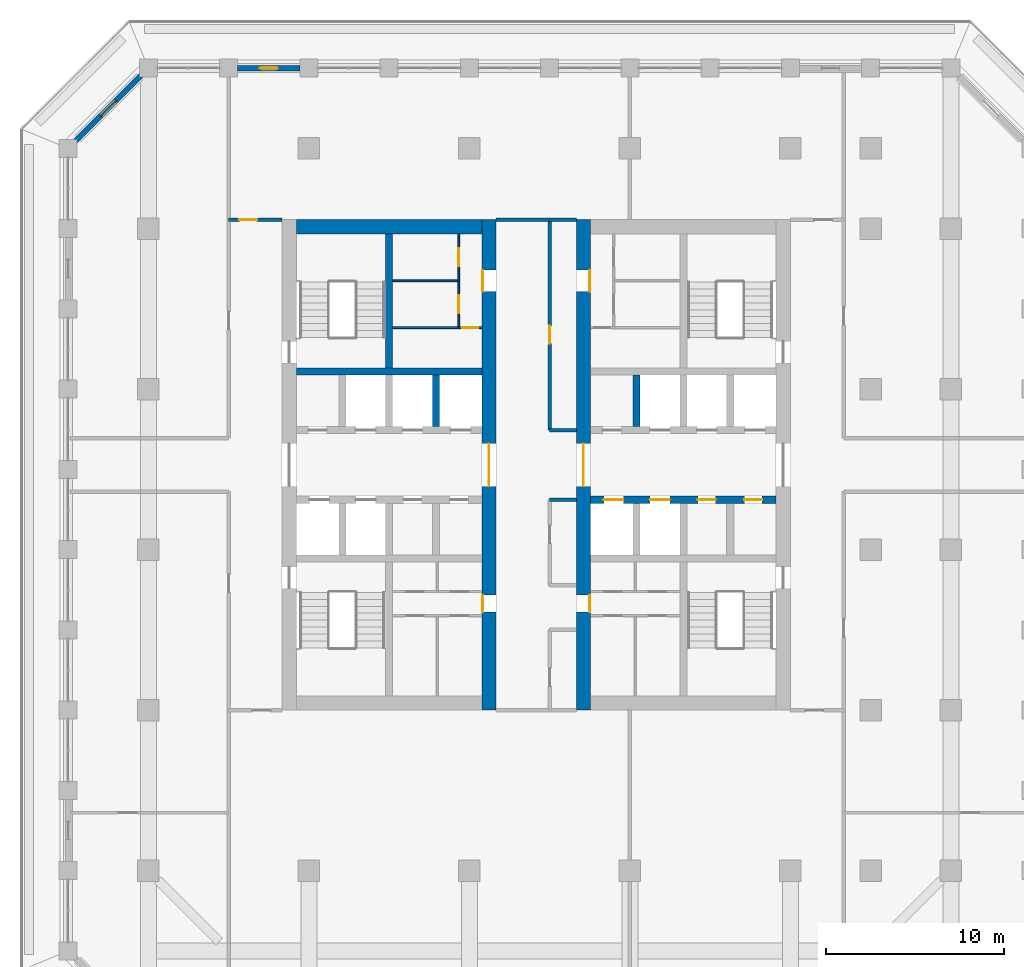
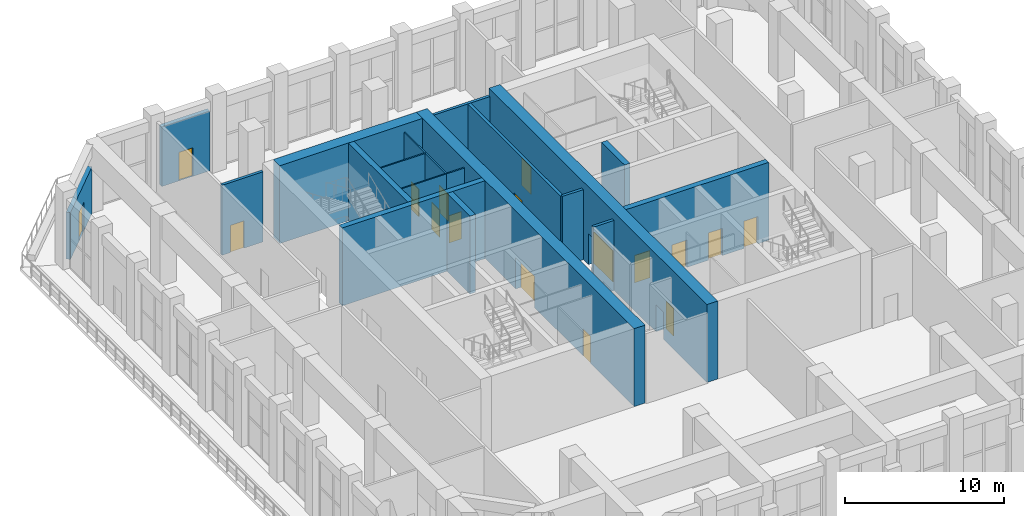
# One storey, part 15 of 25: 20 walls, 17 doors, 17 openings.
"""IFC4 building model written with IfcOpenShell, lengths in metres."""

import ifcopenshell
import ifcopenshell.guid

model = None  # the IFC model being written
_history = None  # IfcOwnerHistory: only IFC2X3 demands one
_inside = {}  # id of a spatial element -> (the spatial element, [elements in it])
_under = {}  # id of a project, library or spatial element -> (it, [spatial elements below it])
_declared = {}  # id of a project -> (the project, [libraries it declares])
_typed = {}  # id of a type object -> (the type object, [elements of that type])
_made_of = {}  # id of a material, layer set ... -> (it, [elements and type objects made of it])


def new_model(schema):
    """Start an empty IFC model of exactly this schema.

    Asked for "IFC4X3", IfcOpenShell would pick the latest addendum, in which some entities
    have other attributes; the version numbers below select the first issue.
    IFC2X3 requires an IfcOwnerHistory on every rooted entity: one is made here for all.
    """
    global model, _history
    if schema == "IFC4X3":
        model = ifcopenshell.file(schema_version=(4, 3, 0, 0))
    else:
        model = ifcopenshell.file(schema=schema)
    _inside.clear()
    _under.clear()
    _declared.clear()
    _typed.clear()
    _made_of.clear()
    _history = None
    if model.schema == "IFC2X3":
        org = make("IfcOrganization", Name="unknown")
        user = make(
            "IfcPersonAndOrganization",
            ThePerson=make("IfcPerson", FamilyName="unknown"),
            TheOrganization=org,
        )
        app = make(
            "IfcApplication",
            ApplicationDeveloper=org,
            Version="unknown",
            ApplicationFullName="unknown",
            ApplicationIdentifier="unknown",
        )
        _history = make(
            "IfcOwnerHistory",
            OwningUser=user,
            OwningApplication=app,
            ChangeAction="ADDED",
            CreationDate=0,
        )
    return model


def make(cls, **values):
    """One entity of the class cls with the attributes given. An attribute that is None is left unset."""
    return model.create_entity(
        cls, **{name: value for name, value in values.items() if value is not None}
    )


def rooted(cls, **values):
    """An entity with a GlobalId (a new one), such as an element, a storey or a relation."""
    return make(cls, GlobalId=ifcopenshell.guid.new(), OwnerHistory=_history, **values)


def si_unit(unit_type, name, prefix=None):
    """IfcSIUnit, for example si_unit("LENGTHUNIT", "METRE", prefix="MILLI")."""
    return make("IfcSIUnit", UnitType=unit_type, Prefix=prefix, Name=name)


def assignment(units):
    """IfcUnitAssignment: the units of a project."""
    return None if units is None else make("IfcUnitAssignment", Units=units)


def point(xyz):
    """IfcCartesianPoint."""
    return None if xyz is None else make("IfcCartesianPoint", Coordinates=xyz)


def direction(xyz):
    """IfcDirection."""
    return None if xyz is None else make("IfcDirection", DirectionRatios=xyz)


def frame(location, z_axis=None, x_axis=None):
    """IfcAxis2Placement3D, a coordinate frame: its origin and axes. An axis left out is left unset."""
    return make(
        "IfcAxis2Placement3D",
        Location=point(location),
        Axis=direction(z_axis),
        RefDirection=direction(x_axis),
    )


def frame_2d(location, x_axis=None):
    """IfcAxis2Placement2D, a coordinate frame in the plane: its origin and x axis."""
    return make(
        "IfcAxis2Placement2D", Location=point(location), RefDirection=direction(x_axis)
    )


def origin():
    """The frame at (0, 0, 0) with its axes left unset."""
    return frame((0.0, 0.0, 0.0))


def place(relative_to, where):
    """IfcLocalPlacement: puts the frame where relative to a parent placement (None: the world)."""
    return make(
        "IfcLocalPlacement", PlacementRelTo=relative_to, RelativePlacement=where
    )


def context(
    kind, dimensions, precision=None, world=None, true_north=None, identifier=None
):
    """IfcGeometricRepresentationContext, for example the 3D "Model" context."""
    return make(
        "IfcGeometricRepresentationContext",
        ContextIdentifier=identifier,
        ContextType=kind,
        CoordinateSpaceDimension=dimensions,
        Precision=precision,
        WorldCoordinateSystem=world,
        TrueNorth=true_north,
    )


def subcontext(parent, identifier, kind, view, scale=None):
    """IfcGeometricRepresentationSubContext, for example "Body" below "Model"."""
    return make(
        "IfcGeometricRepresentationSubContext",
        ContextIdentifier=identifier,
        ContextType=kind,
        ParentContext=parent,
        TargetScale=scale,
        TargetView=view,
    )


def project(units=None, contexts=None):
    """IfcProject with its units and contexts."""
    return rooted(
        "IfcProject",
        Name="project",
        RepresentationContexts=contexts,
        UnitsInContext=assignment(units),
    )


def spatial(cls, under=None, at=None, **own):
    """A site, building, storey or space (cls), placed at a placement, below another one or the project."""
    s = rooted(cls, ObjectPlacement=at, **own)
    if under is not None:
        _under.setdefault(under.id(), (under, []))[1].append(s)
    return s


def profile(cls, at=None, kind="AREA", **sizes):
    """A parametric profile (cls). Its sizes go by their IFC names, for example OverallWidth=200.0."""
    return make(cls, ProfileType=kind, Position=at, **sizes)


def rectangle(**sizes):
    """IfcRectangleProfileDef."""
    return profile("IfcRectangleProfileDef", **sizes)


def extrude(swept, where, along, depth):
    """IfcExtrudedAreaSolid: the profile swept, set in the frame where, extruded along a direction by depth."""
    return make(
        "IfcExtrudedAreaSolid",
        SweptArea=swept,
        Position=where,
        ExtrudedDirection=direction(along),
        Depth=depth,
    )


def shape(context_of_items, identifier, shape_type, items):
    """IfcShapeRepresentation: the items that make up one representation, for example the "Body"."""
    return make(
        "IfcShapeRepresentation",
        ContextOfItems=context_of_items,
        RepresentationIdentifier=identifier,
        RepresentationType=shape_type,
        Items=items,
    )


def material(Name=None, Category=None):
    """IfcMaterial."""
    return make("IfcMaterial", Name=Name, Category=Category)


def layer(
    of_material, thickness, ventilated=None, Name=None, Category=None, Priority=None
):
    """IfcMaterialLayer: one layer of a wall or slab, of a material (None: an air gap)."""
    return make(
        "IfcMaterialLayer",
        Material=of_material,
        LayerThickness=thickness,
        IsVentilated=ventilated,
        Name=Name,
        Category=Category,
        Priority=Priority,
    )


def layer_set(layers, Name=None):
    """IfcMaterialLayerSet."""
    return make("IfcMaterialLayerSet", MaterialLayers=layers, LayerSetName=Name)


def made_of(thing, what):
    """Note that an element or type object is made of a material, layer set ...; save() writes the relation."""
    if what is not None:
        _made_of.setdefault(what.id(), (what, []))[1].append(thing)
    return thing


def type_object(cls, material=None, **own):
    """A type object (cls), such as IfcWallType, which elements share."""
    return made_of(rooted(cls, **own), material)


def element(
    cls,
    number,
    at=None,
    inside=None,
    cuts=None,
    type_object=None,
    material=None,
    context=None,
    identifier="Body",
    shape_type=None,
    held_by="IfcProductDefinitionShape",
    body=None,
    shapes=None,
    **own,
):
    """One element of the class cls, such as IfcWall. Its Tag is "e" and its number.

    at: its placement. inside: the storey or other place that contains it. cuts: it is an
    opening in that element (IfcRelVoidsElement). A single representation is given by context,
    identifier, shape_type and body (its items); several are given by shapes. held_by: the class
    of the entity that holds the representations. save() writes the other relations.
    """
    e = rooted(cls, Tag="e%d" % number, ObjectPlacement=at, **own)
    if body is not None:
        shapes = [shape(context, identifier, shape_type, body)]
    if shapes is not None:
        e.Representation = make(held_by, Representations=shapes)
    if inside is not None:
        _inside.setdefault(inside.id(), (inside, []))[1].append(e)
    if cuts is not None:
        rooted(
            "IfcRelVoidsElement", RelatingBuildingElement=cuts, RelatedOpeningElement=e
        )
    if type_object is not None:
        _typed.setdefault(type_object.id(), (type_object, []))[1].append(e)
    return made_of(e, material)


def fill(opening, filler):
    """IfcRelFillsElement: the door or window that sits in an opening."""
    return rooted(
        "IfcRelFillsElement",
        RelatingOpeningElement=opening,
        RelatedBuildingElement=filler,
    )


def aggregate(whole, parts):
    """IfcRelAggregates: a whole, such as a stair, and the parts it consists of."""
    return rooted("IfcRelAggregates", RelatingObject=whole, RelatedObjects=parts)


def save(model, path):
    """Write the relations noted so far, then the file.

    IfcRelAggregates (storeys below a building ...), IfcRelContainedInSpatialStructure (elements
    in a storey), IfcRelDefinesByType, IfcRelAssociatesMaterial and IfcRelDeclares: one each for
    every whole, place, type object, material and project.
    """
    for whole, parts in _under.values():
        aggregate(whole, parts)
    for where, things in _inside.values():
        rooted(
            "IfcRelContainedInSpatialStructure",
            RelatedElements=things,
            RelatingStructure=where,
        )
    for kind, things in _typed.values():
        rooted("IfcRelDefinesByType", RelatedObjects=things, RelatingType=kind)
    for what, things in _made_of.values():
        rooted("IfcRelAssociatesMaterial", RelatedObjects=things, RelatingMaterial=what)
    for by, libraries in _declared.values():
        rooted("IfcRelDeclares", RelatingContext=by, RelatedDefinitions=libraries)
    model.write(path)


model = new_model("IFC4")

# Units and contexts
model_context = context("Model", 3, precision=1e-05, world=origin(), true_north=direction((0.0, 1.0)))
body_context = subcontext(model_context, "Body", "Model", "MODEL_VIEW")
ifc_project = project(units=[si_unit("LENGTHUNIT", "METRE"), si_unit("AREAUNIT", "SQUARE_METRE"), si_unit("VOLUMEUNIT", "CUBIC_METRE"), si_unit("PLANEANGLEUNIT", "RADIAN"), si_unit("MASSUNIT", "GRAM", prefix="KILO")], contexts=[model_context])

# Site, building, storey
site_placement = place(None, origin())
site = spatial("IfcSite", under=ifc_project, at=site_placement, CompositionType="ELEMENT")
building_placement = place(site_placement, origin())
building = spatial("IfcBuilding", under=site, at=building_placement, Name="Corbel Stack Research Tower", CompositionType="ELEMENT")
storey_placement = place(building_placement, frame((0.0, 0.0, 220.199951171875)))
storey = spatial("IfcBuildingStorey", under=building, at=storey_placement, Name="L50", CompositionType="ELEMENT", Elevation=220.199951171875)

# Walls
ifc_material_1 = material(Name="Concrete C60/75", Category="concrete")
ifc_layer_1 = layer(ifc_material_1, 0.39990234375)
ifc_layer_set_1 = layer_set([ifc_layer_1], Name="Concrete C60/75")
wall_type_1 = type_object("IfcWallType", Name="CW-400-60", PredefinedType="SHEAR", material=ifc_layer_set_1)
wall_1_placement = place(storey_placement, frame((-9.699951171875, 10.0, 0.0), z_axis=(0.0, 0.0, 1.0), x_axis=(1.0, 0.0, 0.0)))
element("IfcWall", 1, at=wall_1_placement, inside=storey, type_object=wall_type_1, Name="West core wall, north row back L50", PredefinedType="SHEAR", context=body_context, shape_type="SweptSolid", body=[
    extrude(rectangle(XDim=10.39990234375, YDim=0.39990234375, at=frame_2d((5.199951171875, 0.0))), origin(), (0.0, 0.0, 1.0), 6.0),
])
wall_2_placement = place(storey_placement, frame((-1.875, 6.89990234375, 0.0), z_axis=(0.0, 0.0, 1.0), x_axis=(0.0, 1.0, 0.0)))
element("IfcWall", 2, at=wall_2_placement, inside=storey, type_object=wall_type_1, Name="West core wall, north shaft 3 L50", PredefinedType="SHEAR", context=body_context, shape_type="SweptSolid", body=[
    extrude(rectangle(XDim=2.900146484375, YDim=0.39990234375, at=frame_2d((1.4501953125, 0.0))), origin(), (0.0, 0.0, 1.0), 6.0),
])
wall_3_placement = place(storey_placement, frame((-4.5, 10.199951171875, 0.0), z_axis=(0.0, 0.0, 1.0), x_axis=(0.0, 1.0, 0.0)))
element("IfcWall", 3, at=wall_3_placement, inside=storey, type_object=wall_type_1, Name="West core wall, north stair and riser L50", PredefinedType="SHEAR", context=body_context, shape_type="SweptSolid", body=[
    extrude(rectangle(XDim=7.5, YDim=0.39990234375, at=frame_2d((3.75, 0.0))), origin(), (0.0, 0.0, 1.0), 6.0),
])

# Wall, openings, doors
wall_4_placement = place(storey_placement, frame((6.800048828125, 2.800048828125, 0.0), z_axis=(0.0, 0.0, 1.0), x_axis=(1.0, 0.0, 0.0)))
wall_4 = element("IfcWall", 4, at=wall_4_placement, inside=storey, type_object=wall_type_1, Name="East core wall, lobby south L50", PredefinedType="SHEAR", context=body_context, shape_type="SweptSolid", body=[
    extrude(rectangle(XDim=10.39990234375, YDim=0.39990234375, at=frame_2d((5.199951171875, 0.0))), origin(), (0.0, 0.0, 1.0), 6.0),
])
opening_1_placement = place(wall_4_placement, frame((0.737548828125, 0.0, 0.0)))
opening_1 = element("IfcOpeningElement", 5, at=opening_1_placement, cuts=wall_4, Name="Opening LD-FS2", PredefinedType="OPENING", context=body_context, shape_type="SweptSolid", body=[
    extrude(rectangle(XDim=1.10009765625, YDim=2.10009765625, at=frame_2d((0.550048828125, 1.050048828125))), frame((0.0, 0.2099609375, 0.0), z_axis=(0.0, -1.0, 0.0), x_axis=(1.0, 0.0, 0.0)), (0.0, 0.0, 1.0), 0.419921875),
])
opening_2_placement = place(wall_4_placement, frame((3.33740234375, 0.0, 0.0)))
opening_2 = element("IfcOpeningElement", 6, at=opening_2_placement, cuts=wall_4, Name="Opening LD-GL2", PredefinedType="OPENING", context=body_context, shape_type="SweptSolid", body=[
    extrude(rectangle(XDim=1.10009765625, YDim=2.10009765625, at=frame_2d((0.550048828125, 1.050048828125))), frame((0.0, 0.2099609375, 0.0), z_axis=(0.0, -1.0, 0.0), x_axis=(1.0, 0.0, 0.0)), (0.0, 0.0, 1.0), 0.419921875),
])
opening_3_placement = place(wall_4_placement, frame((6.012451171875, 0.0, 0.0)))
opening_3 = element("IfcOpeningElement", 7, at=opening_3_placement, cuts=wall_4, Name="Opening CR-E54-S3", PredefinedType="OPENING", context=body_context, shape_type="SweptSolid", body=[
    extrude(rectangle(XDim=1.0, YDim=2.10009765625, at=frame_2d((0.5, 1.050048828125))), frame((0.0, 0.2099609375, 0.0), z_axis=(0.0, -1.0, 0.0), x_axis=(1.0, 0.0, 0.0)), (0.0, 0.0, 1.0), 0.419921875),
])
opening_4_placement = place(wall_4_placement, frame((8.612548828125, 0.0, 0.0)))
opening_4 = element("IfcOpeningElement", 8, at=opening_4_placement, cuts=wall_4, Name="Opening CR-E54-S4", PredefinedType="OPENING", context=body_context, shape_type="SweptSolid", body=[
    extrude(rectangle(XDim=1.0, YDim=2.10009765625, at=frame_2d((0.5, 1.050048828125))), frame((0.0, 0.2099609375, 0.0), z_axis=(0.0, -1.0, 0.0), x_axis=(1.0, 0.0, 0.0)), (0.0, 0.0, 1.0), 0.419921875),
])
ifc_material_2 = material(Name="Stainless steel landing door", Category="steel")
door_type_1 = type_object("IfcDoorType", Name="Lift landing door 1100 x 2100", OperationType="DOUBLE_DOOR_SLIDING", PredefinedType="DOOR", material=ifc_material_2)
door_1_placement = place(opening_1_placement, origin())
door_1 = element("IfcDoor", 9, at=door_1_placement, inside=storey, type_object=door_type_1, Name="Landing door FS2", OperationType="DOUBLE_DOOR_SLIDING", OverallHeight=2.10009765625, OverallWidth=1.10009765625, PredefinedType="DOOR", context=body_context, shape_type="SweptSolid", body=[
    extrude(rectangle(XDim=1.10009765625, YDim=2.10009765625, at=frame_2d((0.550048828125, 1.050048828125))), frame((0.0, 0.02490234375, 0.0), z_axis=(0.0, -1.0, 0.0), x_axis=(1.0, 0.0, 0.0)), (0.0, 0.0, 1.0), 0.050048828125),
])
fill(opening_1, door_1)
door_2_placement = place(opening_2_placement, origin())
door_2 = element("IfcDoor", 10, at=door_2_placement, inside=storey, type_object=door_type_1, Name="Landing door GL2", OperationType="DOUBLE_DOOR_SLIDING", OverallHeight=2.10009765625, OverallWidth=1.10009765625, PredefinedType="DOOR", context=body_context, shape_type="SweptSolid", body=[
    extrude(rectangle(XDim=1.10009765625, YDim=2.10009765625, at=frame_2d((0.550048828125, 1.050048828125))), frame((0.0, 0.02490234375, 0.0), z_axis=(0.0, -1.0, 0.0), x_axis=(1.0, 0.0, 0.0)), (0.0, 0.0, 1.0), 0.050048828125),
])
fill(opening_2, door_2)
ifc_material_3 = material(Name="Painted steel door", Category="steel")
door_type_2 = type_object("IfcDoorType", Name="Service door 1000 x 2100 FD60 left hand", OperationType="SINGLE_SWING_LEFT", PredefinedType="DOOR", material=ifc_material_3)
door_3_placement = place(opening_3_placement, origin())
door_3 = element("IfcDoor", 11, at=door_3_placement, inside=storey, type_object=door_type_2, Name="Cleaner's store door E core", OperationType="SINGLE_SWING_LEFT", OverallHeight=2.10009765625, OverallWidth=1.0, PredefinedType="DOOR", context=body_context, shape_type="SweptSolid", body=[
    extrude(rectangle(XDim=1.0, YDim=2.10009765625, at=frame_2d((0.5, 1.050048828125))), frame((0.0, 0.02490234375, 0.0), z_axis=(0.0, -1.0, 0.0), x_axis=(1.0, 0.0, 0.0)), (0.0, 0.0, 1.0), 0.050048828125),
])
fill(opening_3, door_3)
ifc_material_4 = material(Name="Painted steel door", Category="steel")
door_type_3 = type_object("IfcDoorType", Name="Service door 1000 x 2100 FD60 right hand", OperationType="SINGLE_SWING_RIGHT", PredefinedType="DOOR", material=ifc_material_4)
door_4_placement = place(opening_4_placement, origin())
door_4 = element("IfcDoor", 12, at=door_4_placement, inside=storey, type_object=door_type_3, Name="Vending bay door E core", OperationType="SINGLE_SWING_RIGHT", OverallHeight=2.10009765625, OverallWidth=1.0, PredefinedType="DOOR", context=body_context, shape_type="SweptSolid", body=[
    extrude(rectangle(XDim=1.0, YDim=2.10009765625, at=frame_2d((0.5, 1.050048828125))), frame((0.0, 0.02490234375, 0.0), z_axis=(0.0, -1.0, 0.0), x_axis=(1.0, 0.0, 0.0)), (0.0, 0.0, 1.0), 0.050048828125),
])
fill(opening_4, door_4)

# Wall
wall_5_placement = place(storey_placement, frame((9.375, 6.89990234375, 0.0), z_axis=(0.0, 0.0, 1.0), x_axis=(0.0, 1.0, 0.0)))
element("IfcWall", 13, at=wall_5_placement, inside=storey, type_object=wall_type_1, Name="East core wall, north shaft 1 L50", PredefinedType="SHEAR", context=body_context, shape_type="SweptSolid", body=[
    extrude(rectangle(XDim=2.900146484375, YDim=0.39990234375, at=frame_2d((1.4501953125, 0.0))), origin(), (0.0, 0.0, 1.0), 6.0),
])

# Wall, openings, doors
ifc_material_5 = material(Name="Concrete C60/75", Category="concrete")
ifc_layer_2 = layer(ifc_material_5, 0.800048828125)
ifc_layer_set_2 = layer_set([ifc_layer_2], Name="Concrete C60/75")
wall_type_2 = type_object("IfcWallType", Name="CW-800-60", PredefinedType="SHEAR", material=ifc_layer_set_2)
wall_6_placement = place(storey_placement, frame((1.10009765625, -9.0, 0.0), z_axis=(0.0, 0.0, 1.0), x_axis=(0.0, 1.0, 0.0)))
wall_6 = element("IfcWall", 14, at=wall_6_placement, inside=storey, type_object=wall_type_2, Name="West core wall, east face L50", PredefinedType="SHEAR", context=body_context, shape_type="SweptSolid", body=[
    extrude(rectangle(XDim=27.5, YDim=0.800048828125, at=frame_2d((13.75, 0.0))), origin(), (0.0, 0.0, 1.0), 6.0),
])
opening_5_placement = place(wall_6_placement, frame((12.550048828125, 0.0, 0.0)))
opening_5 = element("IfcOpeningElement", 15, at=opening_5_placement, cuts=wall_6, Name="Opening CD-W-E", PredefinedType="OPENING", context=body_context, shape_type="SweptSolid", body=[
    extrude(rectangle(XDim=2.39990234375, YDim=2.39990234375, at=frame_2d((1.199951171875, 1.199951171875))), frame((0.0, 0.409912109375, 0.0), z_axis=(0.0, -1.0, 0.0), x_axis=(1.0, 0.0, 0.0)), (0.0, 0.0, 1.0), 0.820068359375),
])
opening_6_placement = place(wall_6_placement, frame((5.5, 0.0, 0.0)))
opening_6 = element("IfcOpeningElement", 16, at=opening_6_placement, cuts=wall_6, Name="Opening CR-W54-W1-950", PredefinedType="OPENING", context=body_context, shape_type="SweptSolid", body=[
    extrude(rectangle(XDim=0.949951171875, YDim=2.10009765625, at=frame_2d((0.47509765625, 1.050048828125))), frame((0.0, 0.409912109375, 0.0), z_axis=(0.0, -1.0, 0.0), x_axis=(1.0, 0.0, 0.0)), (0.0, 0.0, 1.0), 0.820068359375),
])
opening_7_placement = place(wall_6_placement, frame((23.47509765625, 0.0, 0.0)))
opening_7 = element("IfcOpeningElement", 17, at=opening_7_placement, cuts=wall_6, Name="Opening CR-W54-R2-1200", PredefinedType="OPENING", context=body_context, shape_type="SweptSolid", body=[
    extrude(rectangle(XDim=1.199951171875, YDim=2.10009765625, at=frame_2d((0.60009765625, 1.050048828125))), frame((0.0, 0.409912109375, 0.0), z_axis=(0.0, -1.0, 0.0), x_axis=(1.0, 0.0, 0.0)), (0.0, 0.0, 1.0), 0.820068359375),
])
ifc_material_6 = material(Name="Painted steel fire door", Category="steel")
door_type_4 = type_object("IfcDoorType", Name="Lobby door pair 2400 x 2400 FD30S", OperationType="DOUBLE_DOOR_DOUBLE_SWING", PredefinedType="DOOR", material=ifc_material_6)
door_5_placement = place(opening_5_placement, origin())
door_5 = element("IfcDoor", 18, at=door_5_placement, inside=storey, type_object=door_type_4, Name="Lift lobby door W core E", OperationType="DOUBLE_DOOR_DOUBLE_SWING", OverallHeight=2.39990234375, OverallWidth=2.39990234375, PredefinedType="DOOR", context=body_context, shape_type="SweptSolid", body=[
    extrude(rectangle(XDim=2.39990234375, YDim=2.39990234375, at=frame_2d((1.199951171875, 1.199951171875))), frame((0.0, 0.02490234375, 0.0), z_axis=(0.0, -1.0, 0.0), x_axis=(1.0, 0.0, 0.0)), (0.0, 0.0, 1.0), 0.050048828125),
])
fill(opening_5, door_5)
ifc_material_7 = material(Name="Painted steel door", Category="steel")
door_type_5 = type_object("IfcDoorType", Name="Service door 1200 x 2100 FD30 right hand", OperationType="SINGLE_SWING_RIGHT", PredefinedType="DOOR", material=ifc_material_7)
door_6_placement = place(opening_7_placement, origin())
door_6 = element("IfcDoor", 19, at=door_6_placement, inside=storey, type_object=door_type_5, Name="Service passage door W core", OperationType="SINGLE_SWING_RIGHT", OverallHeight=2.10009765625, OverallWidth=1.199951171875, PredefinedType="DOOR", context=body_context, shape_type="SweptSolid", body=[
    extrude(rectangle(XDim=1.199951171875, YDim=2.10009765625, at=frame_2d((0.60009765625, 1.050048828125))), frame((0.0, 0.375, 0.0), z_axis=(0.0, -1.0, 0.0), x_axis=(1.0, 0.0, 0.0)), (0.0, 0.0, 1.0), 0.050048828125),
])
fill(opening_7, door_6)
ifc_material_8 = material(Name="Painted timber door", Category="wood")
door_type_6 = type_object("IfcDoorType", Name="WC door 950 x 2100 left hand", OperationType="SINGLE_SWING_LEFT", PredefinedType="DOOR", material=ifc_material_8)
door_7_placement = place(opening_6_placement, origin())
door_7 = element("IfcDoor", 20, at=door_7_placement, inside=storey, type_object=door_type_6, Name="WC lobby door W core", OperationType="SINGLE_SWING_LEFT", OverallHeight=2.10009765625, OverallWidth=0.949951171875, PredefinedType="DOOR", context=body_context, shape_type="SweptSolid", body=[
    extrude(rectangle(XDim=0.949951171875, YDim=2.10009765625, at=frame_2d((0.47509765625, 1.050048828125))), frame((0.0, 0.375, 0.0), z_axis=(0.0, -1.0, 0.0), x_axis=(1.0, 0.0, 0.0)), (0.0, 0.0, 1.0), 0.050048828125),
])
fill(opening_6, door_7)

# Wall
wall_7_placement = place(storey_placement, frame((-9.699951171875, 18.10009765625, 0.0), z_axis=(0.0, 0.0, 1.0), x_axis=(1.0, 0.0, 0.0)))
element("IfcWall", 21, at=wall_7_placement, inside=storey, type_object=wall_type_2, Name="West core wall, north end L50", PredefinedType="SHEAR", context=body_context, shape_type="SweptSolid", body=[
    extrude(rectangle(XDim=10.39990234375, YDim=0.800048828125, at=frame_2d((5.199951171875, 0.0))), origin(), (0.0, 0.0, 1.0), 6.0),
])

# Wall, openings, doors
wall_8_placement = place(storey_placement, frame((6.39990234375, -9.0, 0.0), z_axis=(0.0, 0.0, 1.0), x_axis=(0.0, 1.0, 0.0)))
wall_8 = element("IfcWall", 22, at=wall_8_placement, inside=storey, type_object=wall_type_2, Name="East core wall, west face L50", PredefinedType="SHEAR", context=body_context, shape_type="SweptSolid", body=[
    extrude(rectangle(XDim=27.5, YDim=0.800048828125, at=frame_2d((13.75, 0.0))), origin(), (0.0, 0.0, 1.0), 6.0),
])
opening_8_placement = place(wall_8_placement, frame((12.550048828125, 0.0, 0.0)))
opening_8 = element("IfcOpeningElement", 23, at=opening_8_placement, cuts=wall_8, Name="Opening CD-E-W", PredefinedType="OPENING", context=body_context, shape_type="SweptSolid", body=[
    extrude(rectangle(XDim=2.39990234375, YDim=2.39990234375, at=frame_2d((1.199951171875, 1.199951171875))), frame((0.0, 0.409912109375, 0.0), z_axis=(0.0, -1.0, 0.0), x_axis=(1.0, 0.0, 0.0)), (0.0, 0.0, 1.0), 0.820068359375),
])
opening_9_placement = place(wall_8_placement, frame((5.5, 0.0, 0.0)))
opening_9 = element("IfcOpeningElement", 24, at=opening_9_placement, cuts=wall_8, Name="Opening CR-E54-W1-950", PredefinedType="OPENING", context=body_context, shape_type="SweptSolid", body=[
    extrude(rectangle(XDim=0.949951171875, YDim=2.10009765625, at=frame_2d((0.47509765625, 1.050048828125))), frame((0.0, 0.409912109375, 0.0), z_axis=(0.0, -1.0, 0.0), x_axis=(1.0, 0.0, 0.0)), (0.0, 0.0, 1.0), 0.820068359375),
])
opening_10_placement = place(wall_8_placement, frame((23.47509765625, 0.0, 0.0)))
opening_10 = element("IfcOpeningElement", 25, at=opening_10_placement, cuts=wall_8, Name="Opening CR-E54-R2-1200", PredefinedType="OPENING", context=body_context, shape_type="SweptSolid", body=[
    extrude(rectangle(XDim=1.199951171875, YDim=2.10009765625, at=frame_2d((0.60009765625, 1.050048828125))), frame((0.0, 0.409912109375, 0.0), z_axis=(0.0, -1.0, 0.0), x_axis=(1.0, 0.0, 0.0)), (0.0, 0.0, 1.0), 0.820068359375),
])
door_8_placement = place(opening_8_placement, origin())
door_8 = element("IfcDoor", 26, at=door_8_placement, inside=storey, type_object=door_type_4, Name="Lift lobby door E core W", OperationType="DOUBLE_DOOR_DOUBLE_SWING", OverallHeight=2.39990234375, OverallWidth=2.39990234375, PredefinedType="DOOR", context=body_context, shape_type="SweptSolid", body=[
    extrude(rectangle(XDim=2.39990234375, YDim=2.39990234375, at=frame_2d((1.199951171875, 1.199951171875))), frame((0.0, 0.02490234375, 0.0), z_axis=(0.0, -1.0, 0.0), x_axis=(1.0, 0.0, 0.0)), (0.0, 0.0, 1.0), 0.050048828125),
])
fill(opening_8, door_8)
ifc_material_9 = material(Name="Painted steel door", Category="steel")
door_type_7 = type_object("IfcDoorType", Name="Service door 1200 x 2100 FD30 left hand", OperationType="SINGLE_SWING_LEFT", PredefinedType="DOOR", material=ifc_material_9)
door_9_placement = place(opening_10_placement, origin())
door_9 = element("IfcDoor", 27, at=door_9_placement, inside=storey, type_object=door_type_7, Name="Service passage door E core", OperationType="SINGLE_SWING_LEFT", OverallHeight=2.10009765625, OverallWidth=1.199951171875, PredefinedType="DOOR", context=body_context, shape_type="SweptSolid", body=[
    extrude(rectangle(XDim=1.199951171875, YDim=2.10009765625, at=frame_2d((0.60009765625, 1.050048828125))), frame((0.0, -0.3251953125, 0.0), z_axis=(0.0, -1.0, 0.0), x_axis=(1.0, 0.0, 0.0)), (0.0, 0.0, 1.0), 0.050048828125),
])
fill(opening_10, door_9)
ifc_material_10 = material(Name="Painted timber door", Category="wood")
door_type_8 = type_object("IfcDoorType", Name="WC door 950 x 2100 right hand", OperationType="SINGLE_SWING_RIGHT", PredefinedType="DOOR", material=ifc_material_10)
door_10_placement = place(opening_9_placement, origin())
door_10 = element("IfcDoor", 28, at=door_10_placement, inside=storey, type_object=door_type_8, Name="WC lobby door E core", OperationType="SINGLE_SWING_RIGHT", OverallHeight=2.10009765625, OverallWidth=0.949951171875, PredefinedType="DOOR", context=body_context, shape_type="SweptSolid", body=[
    extrude(rectangle(XDim=0.949951171875, YDim=2.10009765625, at=frame_2d((0.47509765625, 1.050048828125))), frame((0.0, -0.3251953125, 0.0), z_axis=(0.0, -1.0, 0.0), x_axis=(1.0, 0.0, 0.0)), (0.0, 0.0, 1.0), 0.050048828125),
])
fill(opening_9, door_10)

# Wall, opening, door
ifc_material_11 = material(Name="Gypsum board")
ifc_layer_3 = layer(ifc_material_11, 0.10009765625)
ifc_layer_set_3 = layer_set([ifc_layer_3], Name="Gypsum board")
wall_type_3 = type_object("IfcWallType", Name="Core partition 100", PredefinedType="PARTITIONING", material=ifc_layer_set_3)
wall_9_placement = place(storey_placement, frame((-0.60009765625, 12.449951171875, 0.0), z_axis=(0.0, 0.0, 1.0), x_axis=(1.0, 0.0, 0.0)))
wall_9 = element("IfcWall", 29, at=wall_9_placement, inside=storey, type_object=wall_type_3, Name="Core partition W", PredefinedType="PARTITIONING", context=body_context, shape_type="SweptSolid", body=[
    extrude(rectangle(XDim=1.300048828125, YDim=0.10009765625, at=frame_2d((0.64990234375, 0.0))), origin(), (0.0, 0.0, 1.0), 5.400146484375),
])
opening_11_placement = place(wall_9_placement, frame((0.199951171875, 0.0, 0.0)))
opening_11 = element("IfcOpeningElement", 30, at=opening_11_placement, cuts=wall_9, Name="Opening CR-W54-R1-900", PredefinedType="OPENING", context=body_context, shape_type="SweptSolid", body=[
    extrude(rectangle(XDim=0.89990234375, YDim=2.10009765625, at=frame_2d((0.449951171875, 1.050048828125))), frame((0.0, 0.06005859375, 0.0), z_axis=(0.0, -1.0, 0.0), x_axis=(1.0, 0.0, 0.0)), (0.0, 0.0, 1.0), 0.1201171875),
])
ifc_material_12 = material(Name="Painted steel door", Category="steel")
door_type_9 = type_object("IfcDoorType", Name="Riser door 900 x 2100 FD60 left hand", OperationType="SINGLE_SWING_LEFT", PredefinedType="DOOR", material=ifc_material_12)
door_11_placement = place(opening_11_placement, origin())
door_11 = element("IfcDoor", 31, at=door_11_placement, inside=storey, type_object=door_type_9, Name="Electrical riser door W core", OperationType="SINGLE_SWING_LEFT", OverallHeight=2.10009765625, OverallWidth=0.89990234375, PredefinedType="DOOR", context=body_context, shape_type="SweptSolid", body=[
    extrude(rectangle(XDim=0.89990234375, YDim=2.10009765625, at=frame_2d((0.449951171875, 1.050048828125))), frame((0.0, 0.02490234375, 0.0), z_axis=(0.0, -1.0, 0.0), x_axis=(1.0, 0.0, 0.0)), (0.0, 0.0, 1.0), 0.050048828125),
])
fill(opening_11, door_11)

# Wall
wall_10_placement = place(storey_placement, frame((-4.300048828125, 12.449951171875, 0.0), z_axis=(0.0, 0.0, 1.0), x_axis=(1.0, 0.0, 0.0)))
element("IfcWall", 32, at=wall_10_placement, inside=storey, type_object=wall_type_3, Name="Core partition W", PredefinedType="PARTITIONING", context=body_context, shape_type="SweptSolid", body=[
    extrude(rectangle(XDim=3.699951171875, YDim=0.10009765625, at=frame_2d((1.85009765625, 0.0))), origin(), (0.0, 0.0, 1.0), 5.400146484375),
])

# Wall, opening, door
wall_11_placement = place(storey_placement, frame((-0.60009765625, 12.449951171875, 0.0), z_axis=(0.0, 0.0, 1.0), x_axis=(0.0, 1.0, 0.0)))
wall_11 = element("IfcWall", 33, at=wall_11_placement, inside=storey, type_object=wall_type_3, Name="Core partition W", PredefinedType="PARTITIONING", context=body_context, shape_type="SweptSolid", body=[
    extrude(rectangle(XDim=2.625, YDim=0.10009765625, at=frame_2d((1.3125, 0.0))), origin(), (0.0, 0.0, 1.0), 5.400146484375),
])
opening_12_placement = place(wall_11_placement, frame((0.8125, 0.0, 0.0)))
opening_12 = element("IfcOpeningElement", 34, at=opening_12_placement, cuts=wall_11, Name="Opening CR-W54-R3-1000", PredefinedType="OPENING", context=body_context, shape_type="SweptSolid", body=[
    extrude(rectangle(XDim=1.0, YDim=2.10009765625, at=frame_2d((0.5, 1.050048828125))), frame((0.0, 0.06005859375, 0.0), z_axis=(0.0, -1.0, 0.0), x_axis=(1.0, 0.0, 0.0)), (0.0, 0.0, 1.0), 0.1201171875),
])
ifc_material_13 = material(Name="Painted steel door", Category="steel")
door_type_10 = type_object("IfcDoorType", Name="Service door 1000 x 2100 FD30 left hand", OperationType="SINGLE_SWING_LEFT", PredefinedType="DOOR", material=ifc_material_13)
door_12_placement = place(opening_12_placement, origin())
door_12 = element("IfcDoor", 35, at=door_12_placement, inside=storey, type_object=door_type_10, Name="Pantry door W core", OperationType="SINGLE_SWING_LEFT", OverallHeight=2.10009765625, OverallWidth=1.0, PredefinedType="DOOR", context=body_context, shape_type="SweptSolid", body=[
    extrude(rectangle(XDim=1.0, YDim=2.10009765625, at=frame_2d((0.5, 1.050048828125))), frame((0.0, 0.02490234375, 0.0), z_axis=(0.0, -1.0, 0.0), x_axis=(1.0, 0.0, 0.0)), (0.0, 0.0, 1.0), 0.050048828125),
])
fill(opening_12, door_12)

wall_12_placement = place(storey_placement, frame((-0.60009765625, 15.074951171875, 0.0), z_axis=(0.0, 0.0, 1.0), x_axis=(0.0, 1.0, 0.0)))
wall_12 = element("IfcWall", 36, at=wall_12_placement, inside=storey, type_object=wall_type_3, Name="Core partition W", PredefinedType="PARTITIONING", context=body_context, shape_type="SweptSolid", body=[
    extrude(rectangle(XDim=2.625, YDim=0.10009765625, at=frame_2d((1.3125, 0.0))), origin(), (0.0, 0.0, 1.0), 5.400146484375),
])
opening_13_placement = place(wall_12_placement, frame((0.8125, 0.0, 0.0)))
opening_13 = element("IfcOpeningElement", 37, at=opening_13_placement, cuts=wall_12, Name="Opening CR-W54-R4-1000", PredefinedType="OPENING", context=body_context, shape_type="SweptSolid", body=[
    extrude(rectangle(XDim=1.0, YDim=2.10009765625, at=frame_2d((0.5, 1.050048828125))), frame((0.0, 0.06005859375, 0.0), z_axis=(0.0, -1.0, 0.0), x_axis=(1.0, 0.0, 0.0)), (0.0, 0.0, 1.0), 0.1201171875),
])
ifc_material_14 = material(Name="Painted steel door", Category="steel")
door_type_11 = type_object("IfcDoorType", Name="Service door 1000 x 2100 FD30 right hand", OperationType="SINGLE_SWING_RIGHT", PredefinedType="DOOR", material=ifc_material_14)
door_13_placement = place(opening_13_placement, origin())
door_13 = element("IfcDoor", 38, at=door_13_placement, inside=storey, type_object=door_type_11, Name="Copy and supply store door W core", OperationType="SINGLE_SWING_RIGHT", OverallHeight=2.10009765625, OverallWidth=1.0, PredefinedType="DOOR", context=body_context, shape_type="SweptSolid", body=[
    extrude(rectangle(XDim=1.0, YDim=2.10009765625, at=frame_2d((0.5, 1.050048828125))), frame((0.0, 0.02490234375, 0.0), z_axis=(0.0, -1.0, 0.0), x_axis=(1.0, 0.0, 0.0)), (0.0, 0.0, 1.0), 0.050048828125),
])
fill(opening_13, door_13)

# Wall
wall_13_placement = place(storey_placement, frame((-4.300048828125, 15.074951171875, 0.0), z_axis=(0.0, 0.0, 1.0), x_axis=(1.0, 0.0, 0.0)))
element("IfcWall", 39, at=wall_13_placement, inside=storey, type_object=wall_type_3, Name="Core partition W", PredefinedType="PARTITIONING", context=body_context, shape_type="SweptSolid", body=[
    extrude(rectangle(XDim=3.699951171875, YDim=0.10009765625, at=frame_2d((1.85009765625, 0.0))), origin(), (0.0, 0.0, 1.0), 5.400146484375),
])

# Wall, opening, door
ifc_material_15 = material(Name="Fire-rated gypsum board partition on steel studs", Category="steel")
ifc_layer_4 = layer(ifc_material_15, 0.199951171875)
ifc_layer_set_4 = layer_set([ifc_layer_4], Name="Fire-rated gypsum board partition on steel studs")
wall_type_4 = type_object("IfcWallType", Name="Fire-rated partition 200 EI 60", PredefinedType="PARTITIONING", material=ifc_layer_set_4)
wall_14_placement = place(storey_placement, frame((4.5, 18.5, 0.0), z_axis=(0.0, 0.0, 1.0), x_axis=(0.0, -1.0, 0.0)))
wall_14 = element("IfcWall", 40, at=wall_14_placement, inside=storey, type_object=wall_type_4, Name="Partition L50-007", PredefinedType="PARTITIONING", context=body_context, shape_type="SweptSolid", body=[
    extrude(rectangle(XDim=11.800048828125, YDim=0.199951171875, at=frame_2d((5.89990234375, 0.0))), origin(), (0.0, 0.0, 1.0), 5.400146484375),
])
opening_14_placement = place(wall_14_placement, frame((5.949951171875, 0.0, 0.0)))
opening_14 = element("IfcOpeningElement", 41, at=opening_14_placement, cuts=wall_14, Name="Opening B6AM-009", PredefinedType="OPENING", context=body_context, shape_type="SweptSolid", body=[
    extrude(rectangle(XDim=1.0, YDim=2.10009765625, at=frame_2d((0.5, 1.050048828125))), frame((0.0, 0.10986328125, 0.0), z_axis=(0.0, -1.0, 0.0), x_axis=(1.0, 0.0, 0.0)), (0.0, 0.0, 1.0), 0.219970703125),
])
ifc_material_16 = material(Name="Painted steel fire door", Category="steel")
door_type_12 = type_object("IfcDoorType", Name="Fire door FD30S 1000 x 2100", OperationType="NOTDEFINED", PredefinedType="DOOR", material=ifc_material_16)
door_14_placement = place(opening_14_placement, origin())
door_14 = element("IfcDoor", 42, at=door_14_placement, inside=storey, type_object=door_type_12, Name="Door B6AM-009", OperationType="SINGLE_SWING_RIGHT", OverallHeight=2.10009765625, OverallWidth=1.0, PredefinedType="DOOR", context=body_context, shape_type="SweptSolid", body=[
    extrude(rectangle(XDim=1.0, YDim=2.10009765625, at=frame_2d((0.5, 1.050048828125))), frame((0.0, 0.02490234375, 0.0), z_axis=(0.0, -1.0, 0.0), x_axis=(1.0, 0.0, 0.0)), (0.0, 0.0, 1.0), 0.050048828125),
])
fill(opening_14, door_14)

# Walls
for number, where, z_axis, x_axis, name in (
    (43, (4.5, 2.800048828125, 0.0), (0.0, 0.0, 1.0), (1.0, 0.0, 0.0), "Partition L50-027"),
    (44, (4.5, 6.699951171875, 0.0), (0.0, 0.0, 1.0), (1.0, 0.0, 0.0), "Partition L50-040"),
):
    element("IfcWall", number, at=place(storey_placement, frame(where, z_axis=z_axis, x_axis=x_axis)), inside=storey, type_object=wall_type_4, Name=name, PredefinedType="PARTITIONING", context=body_context, shape_type="SweptSolid", body=[
        extrude(rectangle(XDim=1.5, YDim=0.199951171875, at=frame_2d((0.75, 0.0))), origin(), (0.0, 0.0, 1.0), 5.400146484375),
    ])

# Wall, opening, door
wall_15_placement = place(storey_placement, frame((-13.5, 18.5, 0.0), z_axis=(0.0, 0.0, 1.0), x_axis=(1.0, 0.0, 0.0)))
wall_15 = element("IfcWall", 45, at=wall_15_placement, inside=storey, type_object=wall_type_4, Name="Partition L50-041", PredefinedType="PARTITIONING", context=body_context, shape_type="SweptSolid", body=[
    extrude(rectangle(XDim=3.0, YDim=0.199951171875, at=frame_2d((1.5, 0.0))), origin(), (0.0, 0.0, 1.0), 5.400146484375),
])
opening_15_placement = place(wall_15_placement, frame((0.60009765625, 0.0, 0.0)))
opening_15 = element("IfcOpeningElement", 46, at=opening_15_placement, cuts=wall_15, Name="Opening B6AM-010", PredefinedType="OPENING", context=body_context, shape_type="SweptSolid", body=[
    extrude(rectangle(XDim=1.0, YDim=2.10009765625, at=frame_2d((0.5, 1.050048828125))), frame((0.0, 0.10986328125, 0.0), z_axis=(0.0, -1.0, 0.0), x_axis=(1.0, 0.0, 0.0)), (0.0, 0.0, 1.0), 0.219970703125),
])
door_15_placement = place(opening_15_placement, origin())
door_15 = element("IfcDoor", 47, at=door_15_placement, inside=storey, type_object=door_type_12, Name="Door B6AM-010", OperationType="SINGLE_SWING_LEFT", OverallHeight=2.10009765625, OverallWidth=1.0, PredefinedType="DOOR", context=body_context, shape_type="SweptSolid", body=[
    extrude(rectangle(XDim=1.0, YDim=2.10009765625, at=frame_2d((0.5, 1.050048828125))), frame((0.0, 0.02490234375, 0.0), z_axis=(0.0, -1.0, 0.0), x_axis=(1.0, 0.0, 0.0)), (0.0, 0.0, 1.0), 0.050048828125),
])
fill(opening_15, door_15)

# Wall
wall_16_placement = place(storey_placement, frame((1.5, 18.5, 0.0), z_axis=(0.0, 0.0, 1.0), x_axis=(1.0, 0.0, 0.0)))
element("IfcWall", 48, at=wall_16_placement, inside=storey, type_object=wall_type_4, Name="Partition L50-042", PredefinedType="PARTITIONING", context=body_context, shape_type="SweptSolid", body=[
    extrude(rectangle(XDim=4.5, YDim=0.199951171875, at=frame_2d((2.25, 0.0))), origin(), (0.0, 0.0, 1.0), 5.400146484375),
])

# Wall, opening, door
ifc_material_17 = material(Name="Concrete C45/55", Category="concrete")
ifc_layer_5 = layer(ifc_material_17, 0.300048828125)
ifc_layer_set_5 = layer_set([ifc_layer_5], Name="Concrete C45/55")
wall_type_5 = type_object("IfcWallType", Name="Terracotta-faced concrete wall 300", PredefinedType="SOLIDWALL", material=ifc_layer_set_5)
wall_17_placement = place(storey_placement, frame((-13.0, 27.0, 0.0), z_axis=(0.0, 0.0, 1.0), x_axis=(1.0, 0.0, 0.0)))
wall_17 = element("IfcWall", 49, at=wall_17_placement, inside=storey, type_object=wall_type_5, Name="Facade wall L50 N09", PredefinedType="SOLIDWALL", context=body_context, shape_type="SweptSolid", body=[
    extrude(rectangle(XDim=3.5, YDim=0.300048828125, at=frame_2d((1.75, 0.0))), origin(), (0.0, 0.0, 1.0), 4.60009765625),
])
opening_16_placement = place(wall_17_placement, frame((1.25, 0.0, 0.0)))
opening_16 = element("IfcOpeningElement", 50, at=opening_16_placement, cuts=wall_17, Name="Opening L50-B08", PredefinedType="OPENING", context=body_context, shape_type="SweptSolid", body=[
    extrude(rectangle(XDim=1.0, YDim=2.199951171875, at=frame_2d((0.5, 1.10009765625))), frame((0.0, 0.159912109375, 0.0), z_axis=(0.0, -1.0, 0.0), x_axis=(1.0, 0.0, 0.0)), (0.0, 0.0, 1.0), 0.320068359375),
])
ifc_material_18 = material(Name="Aluminium frame, clear double glazing", Category="aluminium")
door_type_13 = type_object("IfcDoorType", Name="Balcony door BD1 1000 x 2200", OperationType="NOTDEFINED", PredefinedType="DOOR", material=ifc_material_18)
door_16_placement = place(opening_16_placement, origin())
door_16 = element("IfcDoor", 51, at=door_16_placement, inside=storey, type_object=door_type_13, Name="Balcony door L50-B08", OperationType="SINGLE_SWING_LEFT", OverallHeight=2.199951171875, OverallWidth=1.0, PredefinedType="DOOR", context=body_context, shape_type="SweptSolid", body=[
    extrude(rectangle(XDim=1.0, YDim=2.199951171875, at=frame_2d((0.5, 1.10009765625))), frame((0.0, 0.02490234375, 0.0), z_axis=(0.0, -1.0, 0.0), x_axis=(1.0, 0.0, 0.0)), (0.0, 0.0, 1.0), 0.050048828125),
])
fill(opening_16, door_16)

wall_18_placement = place(storey_placement, frame((-22.106201171875, 22.893798828125, 0.0), z_axis=(0.0, 0.0, 1.0), x_axis=(0.707106781187, 0.707106781187, 0.0)))
wall_18 = element("IfcWall", 52, at=wall_18_placement, inside=storey, type_object=wall_type_5, Name="Facade wall L50 NW01", PredefinedType="SOLIDWALL", context=body_context, shape_type="SweptSolid", body=[
    extrude(rectangle(XDim=5.250244140625, YDim=0.300048828125, at=frame_2d((2.625, 0.0))), origin(), (0.0, 0.0, 1.0), 3.60009765625),
])
opening_17_placement = place(wall_18_placement, frame((2.02490234375, 0.0, 0.0)))
opening_17 = element("IfcOpeningElement", 53, at=opening_17_placement, cuts=wall_18, Name="Opening L50-B09", PredefinedType="OPENING", context=body_context, shape_type="SweptSolid", body=[
    extrude(rectangle(XDim=1.199951171875, YDim=2.199951171875, at=frame_2d((0.60009765625, 1.10009765625))), frame((0.0, 0.159912109375, 0.0), z_axis=(0.0, -1.0, 0.0), x_axis=(1.0, 0.0, 0.0)), (0.0, 0.0, 1.0), 0.320068359375),
])
ifc_material_19 = material(Name="Aluminium frame, clear double glazing", Category="aluminium")
door_type_14 = type_object("IfcDoorType", Name="Balcony door BD2 1200 x 2200", OperationType="NOTDEFINED", PredefinedType="DOOR", material=ifc_material_19)
door_17_placement = place(opening_17_placement, origin())
door_17 = element("IfcDoor", 54, at=door_17_placement, inside=storey, type_object=door_type_14, Name="Balcony door L50-B09", OperationType="SINGLE_SWING_LEFT", OverallHeight=2.199951171875, OverallWidth=1.199951171875, PredefinedType="DOOR", context=body_context, shape_type="SweptSolid", body=[
    extrude(rectangle(XDim=1.199951171875, YDim=2.199951171875, at=frame_2d((0.60009765625, 1.10009765625))), frame((0.0, 0.02490234375, 0.0), z_axis=(0.0, -1.0, 0.0), x_axis=(1.0, 0.0, 0.0)), (0.0, 0.0, 1.0), 0.050048828125),
])
fill(opening_17, door_17)

save(model, "model.ifc")
